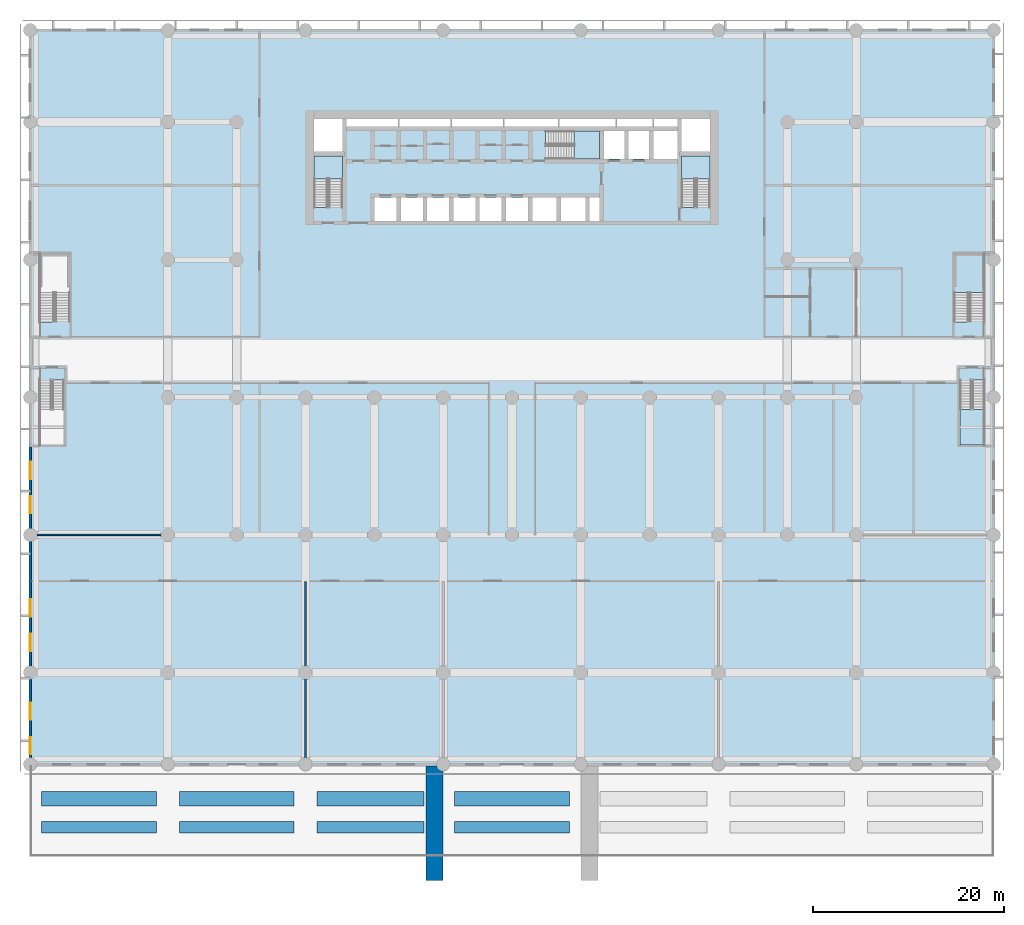
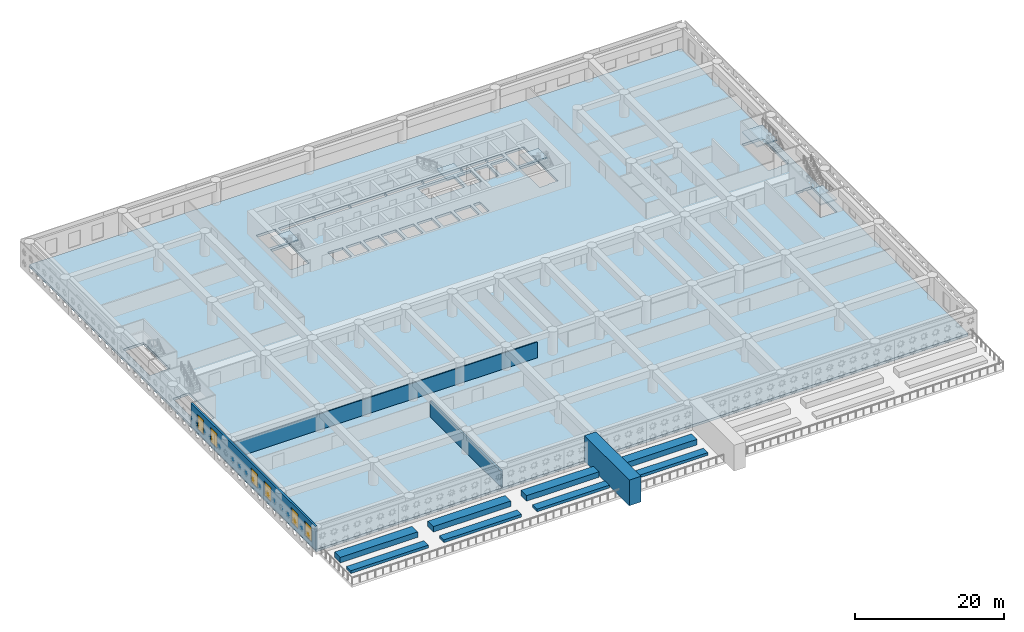
# One storey, part 2 of 24: 12 walls, 6 slabs, 6 windows, 6 openings, 5 elements without a shape of their own.
"""IFC4 building model written with IfcOpenShell, lengths in metres."""

from ifc_helpers import new_model, si_unit, direction, frame, frame_2d, origin, place, context, subcontext, project, spatial, polyline, rectangle, outline, extrude, material, layer, layer_set, type_object, element, fill, aggregate, save


model = new_model("IFC4")

# Units and contexts
model_context = context("Model", 3, precision=1e-05, world=origin(), true_north=direction((0.0, 1.0)))
body_context = subcontext(model_context, "Body", "Model", "MODEL_VIEW")
ifc_project = project(units=[si_unit("LENGTHUNIT", "METRE"), si_unit("AREAUNIT", "SQUARE_METRE"), si_unit("VOLUMEUNIT", "CUBIC_METRE"), si_unit("PLANEANGLEUNIT", "RADIAN"), si_unit("MASSUNIT", "GRAM", prefix="KILO")], contexts=[model_context])

# Site, building, storey
site_placement = place(None, origin())
site = spatial("IfcSite", under=ifc_project, at=site_placement, CompositionType="ELEMENT")
building_placement = place(site_placement, origin())
building = spatial("IfcBuilding", under=site, at=building_placement, Name="Saffron Iwan Residences", CompositionType="ELEMENT")
storey_placement = place(building_placement, frame((0.0, 0.0, 13.199951171875)))
storey = spatial("IfcBuildingStorey", under=building, at=storey_placement, Name="L02", CompositionType="ELEMENT", Elevation=13.199951171875)

# Slab
ifc_material_1 = material(Name="Concrete C40/50", Category="concrete")
ifc_layer_1 = layer(ifc_material_1, 0.39990234375)
ifc_layer_set_1 = layer_set([ifc_layer_1], Name="Concrete C40/50")
slab_type_1 = type_object("IfcSlabType", Name="PT PLATE 400 C40/50", PredefinedType="FLOOR", material=ifc_layer_set_1)
slab_1_placement = place(storey_placement, frame((0.0, 0.0, -0.400146484375)))
element("IfcSlab", 1, at=slab_1_placement, inside=storey, type_object=slab_type_1, Name="Floor slab L02", PredefinedType="FLOOR", context=body_context, shape_type="SweptSolid", body=[
    extrude(outline(polyline([(0.0, 9.60009765625), (0.0, 86.39990234375), (100.800048828125, 86.39990234375), (100.800048828125, 9.60009765625), (0.0, 9.60009765625)]), holes=[polyline([(2.199951171875, 49.699951171875), (1.0, 49.699951171875), (1.0, 43.0), (3.550048828125, 43.0), (3.550048828125, 49.799560546875), (2.199951171875, 49.799560546875), (2.199951171875, 49.699951171875)]), polyline([(2.64990234375, 55.900390625), (2.64990234375, 56.0), (4.14990234375, 56.0), (4.14990234375, 63.0), (1.0, 63.0), (1.0, 55.900390625), (2.64990234375, 55.900390625)]), polyline([(38.324951171875, 66.449951171875), (38.324951171875, 68.875), (36.02490234375, 68.875), (36.02490234375, 66.449951171875), (38.324951171875, 66.449951171875)]), polyline([(41.074951171875, 66.449951171875), (41.074951171875, 68.875), (38.77490234375, 68.875), (38.77490234375, 66.449951171875), (41.074951171875, 66.449951171875)]), polyline([(43.824951171875, 66.449951171875), (43.824951171875, 68.875), (41.52490234375, 68.875), (41.52490234375, 66.449951171875), (43.824951171875, 66.449951171875)]), polyline([(46.574951171875, 66.449951171875), (46.574951171875, 68.875), (44.27490234375, 68.875), (44.27490234375, 66.449951171875), (46.574951171875, 66.449951171875)]), polyline([(49.324951171875, 66.449951171875), (49.324951171875, 68.875), (47.02490234375, 68.875), (47.02490234375, 66.449951171875), (49.324951171875, 66.449951171875)]), polyline([(52.074951171875, 68.875), (49.77490234375, 68.875), (49.77490234375, 66.449951171875), (52.074951171875, 66.449951171875), (52.074951171875, 68.875)]), polyline([(32.64990234375, 73.25), (29.699951171875, 73.25), (29.699951171875, 67.949951171875), (29.699951171875, 67.8505859375), (31.10009765625, 67.8505859375), (31.10009765625, 67.949951171875), (32.64990234375, 67.949951171875), (32.64990234375, 73.25)]), polyline([(32.64990234375, 73.699951171875), (32.64990234375, 77.10009765625), (29.699951171875, 77.10009765625), (29.699951171875, 73.699951171875), (32.64990234375, 73.699951171875)]), polyline([(38.5, 76.324951171875), (38.5, 77.10009765625), (33.10009765625, 77.10009765625), (33.10009765625, 76.324951171875), (38.5, 76.324951171875)]), polyline([(44.0, 76.324951171875), (44.0, 77.10009765625), (38.60009765625, 77.10009765625), (38.60009765625, 76.324951171875), (44.0, 76.324951171875)]), polyline([(49.5, 76.324951171875), (49.5, 77.10009765625), (44.10009765625, 77.10009765625), (44.10009765625, 76.324951171875), (49.5, 76.324951171875)]), polyline([(55.25, 76.324951171875), (55.25, 77.10009765625), (49.60009765625, 77.10009765625), (49.60009765625, 76.324951171875), (55.25, 76.324951171875)]), polyline([(98.449951171875, 49.699951171875), (97.25, 49.699951171875), (97.25, 43.0), (99.800048828125, 43.0), (99.800048828125, 49.799560546875), (98.449951171875, 49.799560546875), (98.449951171875, 49.699951171875)]), polyline([(98.300048828125, 55.900390625), (98.300048828125, 56.0), (99.800048828125, 56.0), (99.800048828125, 63.0), (96.64990234375, 63.0), (96.64990234375, 55.900390625), (98.300048828125, 55.900390625)]), polyline([(55.074951171875, 66.449951171875), (55.074951171875, 68.875), (52.52490234375, 68.875), (52.52490234375, 66.449951171875), (55.074951171875, 66.449951171875)]), polyline([(58.074951171875, 66.449951171875), (58.074951171875, 68.875), (55.52490234375, 68.875), (55.52490234375, 66.449951171875), (58.074951171875, 66.449951171875)]), polyline([(59.550048828125, 66.449951171875), (59.550048828125, 68.875), (58.52490234375, 68.875), (58.52490234375, 66.449951171875), (59.550048828125, 66.449951171875)]), polyline([(71.10009765625, 73.25), (68.14990234375, 73.25), (68.14990234375, 67.949951171875), (68.14990234375, 67.8505859375), (69.550048828125, 67.8505859375), (69.550048828125, 67.949951171875), (71.10009765625, 67.949951171875), (71.10009765625, 73.25)]), polyline([(53.925537109375, 74.47509765625), (54.02490234375, 74.47509765625), (54.02490234375, 72.925048828125), (59.550048828125, 72.925048828125), (59.550048828125, 75.875), (54.02490234375, 75.875), (53.925537109375, 75.875), (53.925537109375, 74.47509765625)]), polyline([(62.14990234375, 75.875), (60.0, 75.875), (60.0, 72.925048828125), (62.14990234375, 72.925048828125), (62.14990234375, 75.875)]), polyline([(64.75, 72.925048828125), (64.75, 75.875), (62.60009765625, 75.875), (62.60009765625, 72.925048828125), (64.75, 72.925048828125)]), polyline([(67.699951171875, 72.925048828125), (67.699951171875, 75.875), (65.199951171875, 75.875), (65.199951171875, 72.925048828125), (67.699951171875, 72.925048828125)]), polyline([(71.10009765625, 73.699951171875), (71.10009765625, 77.10009765625), (68.14990234375, 77.10009765625), (68.14990234375, 73.699951171875), (71.10009765625, 73.699951171875)]), polyline([(61.25, 76.324951171875), (61.25, 77.10009765625), (55.35009765625, 77.10009765625), (55.35009765625, 76.324951171875), (61.25, 76.324951171875)]), polyline([(65.14990234375, 76.324951171875), (65.14990234375, 77.10009765625), (61.35009765625, 77.10009765625), (61.35009765625, 76.324951171875), (65.14990234375, 76.324951171875)]), polyline([(67.699951171875, 76.324951171875), (67.699951171875, 77.10009765625), (65.25, 77.10009765625), (65.25, 76.324951171875), (67.699951171875, 76.324951171875)])]), origin(), (0.0, 0.0, 1.0), 0.400146484375),
])

# Stair, slab
stair_type_1 = type_object("IfcStairType", Name="Podium stair, reinforced concrete", PredefinedType="HALF_TURN_STAIR", material=ifc_material_1)
stair_1_placement = place(storey_placement, origin())
stair_1 = element("IfcStair", 2, at=stair_1_placement, inside=storey, type_object=stair_type_1, Name="L02 Podium Stair 2", PredefinedType="HALF_TURN_STAIR")
ifc_layer_2 = layer(ifc_material_1, 0.199951171875)
ifc_layer_set_2 = layer_set([ifc_layer_2], Name="Concrete C40/50")
slab_type_2 = type_object("IfcSlabType", Name="Podium stair landing, reinforced concrete", PredefinedType="LANDING", material=ifc_layer_set_2)
slab_2_placement = place(storey_placement, frame((0.0, 0.0, 1.89990234375)))
slab_2 = element("IfcSlab", 3, at=slab_2_placement, type_object=slab_type_2, Name="PS2 landing 1", PredefinedType="LANDING", context=body_context, shape_type="SweptSolid", body=[
    extrude(outline(polyline([(97.25, 46.719970703125), (97.25, 43.0), (99.800048828125, 43.0), (99.800048828125, 46.719970703125), (97.25, 46.719970703125)])), origin(), (0.0, 0.0, 1.0), 0.2001953125),
])
aggregate(stair_1, [slab_2])

stair_2_placement = place(storey_placement, origin())
stair_2 = element("IfcStair", 4, at=stair_2_placement, inside=storey, type_object=stair_type_1, Name="L02 Podium Stair 4", PredefinedType="HALF_TURN_STAIR")
slab_3_placement = place(storey_placement, frame((0.0, 0.0, 1.89990234375)))
slab_3 = element("IfcSlab", 5, at=slab_3_placement, type_object=slab_type_2, Name="PS4 landing 1", PredefinedType="LANDING", context=body_context, shape_type="SweptSolid", body=[
    extrude(outline(polyline([(99.800048828125, 58.97998046875), (99.800048828125, 63.0), (96.64990234375, 63.0), (96.64990234375, 58.97998046875), (99.800048828125, 58.97998046875)])), origin(), (0.0, 0.0, 1.0), 0.2001953125),
])
aggregate(stair_2, [slab_3])

ifc_material_2 = material(Name="Concrete C50/60", Category="concrete")
stair_type_2 = type_object("IfcStairType", Name="Stair ST-CORE", PredefinedType="HALF_TURN_STAIR", material=ifc_material_2)
stair_3_placement = place(storey_placement, origin())
stair_3 = element("IfcStair", 6, at=stair_3_placement, inside=storey, type_object=stair_type_2, Name="L02 Exit Stair ST-W", PredefinedType="HALF_TURN_STAIR")
ifc_layer_3 = layer(ifc_material_2, 0.199951171875)
ifc_layer_set_3 = layer_set([ifc_layer_3], Name="Concrete C50/60")
slab_type_3 = type_object("IfcSlabType", Name="Stair landing SL-RC", PredefinedType="LANDING", material=ifc_layer_set_3)
slab_4_placement = place(storey_placement, frame((0.0, 0.0, 1.89990234375)))
slab_4 = element("IfcSlab", 7, at=slab_4_placement, type_object=slab_type_3, Name="ST-W landing 1", PredefinedType="LANDING", context=body_context, shape_type="SweptSolid", body=[
    extrude(outline(polyline([(32.64990234375, 70.820068359375), (32.64990234375, 73.25), (29.699951171875, 73.25), (29.699951171875, 70.820068359375), (32.64990234375, 70.820068359375)])), origin(), (0.0, 0.0, 1.0), 0.2001953125),
])
aggregate(stair_3, [slab_4])

stair_4_placement = place(storey_placement, origin())
stair_4 = element("IfcStair", 8, at=stair_4_placement, inside=storey, type_object=stair_type_2, Name="L02 Exit Stair ST-C", PredefinedType="HALF_TURN_STAIR")
slab_5_placement = place(storey_placement, frame((0.0, 0.0, 1.89990234375)))
slab_5 = element("IfcSlab", 9, at=slab_5_placement, type_object=slab_type_3, Name="ST-C landing 1", PredefinedType="LANDING", context=body_context, shape_type="SweptSolid", body=[
    extrude(outline(polyline([(56.89501953125, 72.925048828125), (59.550048828125, 72.925048828125), (59.550048828125, 75.875), (56.89501953125, 75.875), (56.89501953125, 72.925048828125)])), origin(), (0.0, 0.0, 1.0), 0.2001953125),
])
aggregate(stair_4, [slab_5])

stair_5_placement = place(storey_placement, origin())
stair_5 = element("IfcStair", 10, at=stair_5_placement, inside=storey, type_object=stair_type_2, Name="L02 Exit Stair ST-E", PredefinedType="HALF_TURN_STAIR")
slab_6_placement = place(storey_placement, frame((0.0, 0.0, 1.89990234375)))
slab_6 = element("IfcSlab", 11, at=slab_6_placement, type_object=slab_type_3, Name="ST-E landing 1", PredefinedType="LANDING", context=body_context, shape_type="SweptSolid", body=[
    extrude(outline(polyline([(71.10009765625, 70.820068359375), (71.10009765625, 73.25), (68.14990234375, 73.25), (68.14990234375, 70.820068359375), (71.10009765625, 70.820068359375)])), origin(), (0.0, 0.0, 1.0), 0.2001953125),
])
aggregate(stair_5, [slab_6])

# Walls
ifc_material_3 = material(Name="Concrete blockwork", Category="masonry")
ifc_layer_4 = layer(ifc_material_3, 0.14990234375)
ifc_layer_set_4 = layer_set([ifc_layer_4], Name="Concrete blockwork")
wall_type_1 = type_object("IfcWallType", Name="Blockwork partition 150", PredefinedType="PARTITIONING", material=ifc_layer_set_4)
wall_1_placement = place(storey_placement, frame((0.14990234375, 33.60009765625, 0.0), z_axis=(0.0, 0.0, 1.0), x_axis=(1.0, 0.0, 0.0)))
element("IfcWall", 12, at=wall_1_placement, inside=storey, type_object=wall_type_1, Name="W-L02-003", PredefinedType="PARTITIONING", context=body_context, shape_type="SweptSolid", body=[
    extrude(rectangle(XDim=47.85009765625, YDim=0.14990234375, at=frame_2d((23.925048828125, 0.0))), origin(), (0.0, 0.0, 1.0), 2.60009765625),
])
ifc_layer_5 = layer(ifc_material_1, 0.25)
ifc_layer_set_5 = layer_set([ifc_layer_5], Name="Concrete C40/50")
wall_type_2 = type_object("IfcWallType", Name="Fire compartment wall 250", PredefinedType="SOLIDWALL", material=ifc_layer_set_5)
wall_2_placement = place(storey_placement, frame((28.800048828125, 9.75, 0.0), z_axis=(0.0, 0.0, 1.0), x_axis=(0.0, 1.0, 0.0)))
element("IfcWall", 13, at=wall_2_placement, inside=storey, type_object=wall_type_2, Name="W-L02-031", PredefinedType="SOLIDWALL", context=body_context, shape_type="SweptSolid", body=[
    extrude(rectangle(XDim=18.97509765625, YDim=0.25, at=frame_2d((9.487548828125, 0.0))), origin(), (0.0, 0.0, 1.0), 2.60009765625),
])

# Wall, openings, windows
ifc_material_4 = material(Name="Precast concrete C40/50", Category="concrete")
ifc_layer_6 = layer(ifc_material_4, 0.300048828125)
ifc_layer_set_6 = layer_set([ifc_layer_6], Name="Precast concrete C40/50")
wall_type_3 = type_object("IfcWallType", Name="Podium external wall 300", PredefinedType="SOLIDWALL", material=ifc_layer_set_6)
wall_3_placement = place(storey_placement, frame((0.0, 9.60009765625, 0.0), z_axis=(0.0, 0.0, 1.0), x_axis=(0.0, 1.0, 0.0)))
wall_3 = element("IfcWall", 14, at=wall_3_placement, inside=storey, type_object=wall_type_3, Name="W-L02-022", PredefinedType="SOLIDWALL", context=body_context, shape_type="SweptSolid", body=[
    extrude(rectangle(XDim=33.2998046875, YDim=0.300048828125, at=frame_2d((16.64990234375, 0.0))), origin(), (0.0, 0.0, 1.0), 3.800048828125),
])
opening_1_placement = place(wall_3_placement, frame((1.050048828125, 0.0, 0.60009765625)))
opening_1 = element("IfcOpeningElement", 15, at=opening_1_placement, cuts=wall_3, Name="Opening W7", PredefinedType="OPENING", context=body_context, shape_type="SweptSolid", body=[
    extrude(rectangle(XDim=1.800048828125, YDim=2.39990234375, at=frame_2d((0.89990234375, 1.199951171875))), frame((0.0, 0.16015625, 0.0), z_axis=(0.0, -1.0, 0.0), x_axis=(1.0, 0.0, 0.0)), (0.0, 0.0, 1.0), 0.320068359375),
])
opening_2_placement = place(wall_3_placement, frame((4.64990234375, 0.0, 0.60009765625)))
opening_2 = element("IfcOpeningElement", 16, at=opening_2_placement, cuts=wall_3, Name="Opening W7", PredefinedType="OPENING", context=body_context, shape_type="SweptSolid", body=[
    extrude(rectangle(XDim=1.800048828125, YDim=2.39990234375, at=frame_2d((0.89990234375, 1.199951171875))), frame((0.0, 0.16015625, 0.0), z_axis=(0.0, -1.0, 0.0), x_axis=(1.0, 0.0, 0.0)), (0.0, 0.0, 1.0), 0.320068359375),
])
opening_3_placement = place(wall_3_placement, frame((11.85009765625, 0.0, 0.60009765625)))
opening_3 = element("IfcOpeningElement", 17, at=opening_3_placement, cuts=wall_3, Name="Opening W7", PredefinedType="OPENING", context=body_context, shape_type="SweptSolid", body=[
    extrude(rectangle(XDim=1.800048828125, YDim=2.39990234375, at=frame_2d((0.89990234375, 1.199951171875))), frame((0.0, 0.16015625, 0.0), z_axis=(0.0, -1.0, 0.0), x_axis=(1.0, 0.0, 0.0)), (0.0, 0.0, 1.0), 0.320068359375),
])
opening_4_placement = place(wall_3_placement, frame((15.449951171875, 0.0, 0.60009765625)))
opening_4 = element("IfcOpeningElement", 18, at=opening_4_placement, cuts=wall_3, Name="Opening W7", PredefinedType="OPENING", context=body_context, shape_type="SweptSolid", body=[
    extrude(rectangle(XDim=1.800048828125, YDim=2.39990234375, at=frame_2d((0.89990234375, 1.199951171875))), frame((0.0, 0.16015625, 0.0), z_axis=(0.0, -1.0, 0.0), x_axis=(1.0, 0.0, 0.0)), (0.0, 0.0, 1.0), 0.320068359375),
])
opening_5_placement = place(wall_3_placement, frame((26.25, 0.0, 0.60009765625)))
opening_5 = element("IfcOpeningElement", 19, at=opening_5_placement, cuts=wall_3, Name="Opening W7", PredefinedType="OPENING", context=body_context, shape_type="SweptSolid", body=[
    extrude(rectangle(XDim=1.800048828125, YDim=2.39990234375, at=frame_2d((0.89990234375, 1.199951171875))), frame((0.0, 0.16015625, 0.0), z_axis=(0.0, -1.0, 0.0), x_axis=(1.0, 0.0, 0.0)), (0.0, 0.0, 1.0), 0.320068359375),
])
opening_6_placement = place(wall_3_placement, frame((29.85009765625, 0.0, 0.60009765625)))
opening_6 = element("IfcOpeningElement", 20, at=opening_6_placement, cuts=wall_3, Name="Opening W7", PredefinedType="OPENING", context=body_context, shape_type="SweptSolid", body=[
    extrude(rectangle(XDim=1.800048828125, YDim=2.39990234375, at=frame_2d((0.89990234375, 1.199951171875))), frame((0.0, 0.16015625, 0.0), z_axis=(0.0, -1.0, 0.0), x_axis=(1.0, 0.0, 0.0)), (0.0, 0.0, 1.0), 0.320068359375),
])
ifc_material_5 = material(Name="Clear glass, laminated double glazed", Category="glass")
window_type = type_object("IfcWindowType", Name="WINDOW 1800 x 2400 PODIUM", PartitioningType="DOUBLE_PANEL_VERTICAL", PredefinedType="WINDOW", material=ifc_material_5)
window_1_placement = place(opening_1_placement, origin())
window_1 = element("IfcWindow", 21, at=window_1_placement, inside=storey, type_object=window_type, Name="Window L02 W-L02-022.0", OverallHeight=2.39990234375, OverallWidth=1.800048828125, PartitioningType="DOUBLE_PANEL_VERTICAL", PredefinedType="WINDOW", context=body_context, shape_type="SweptSolid", body=[
    extrude(rectangle(XDim=1.800048828125, YDim=2.39990234375, at=frame_2d((0.89990234375, 1.199951171875))), frame((0.0, 0.030029296875, 0.0), z_axis=(0.0, -1.0, 0.0), x_axis=(1.0, 0.0, 0.0)), (0.0, 0.0, 1.0), 0.06005859375),
])
fill(opening_1, window_1)
window_2_placement = place(opening_2_placement, origin())
window_2 = element("IfcWindow", 22, at=window_2_placement, inside=storey, type_object=window_type, Name="Window L02 W-L02-022.1", OverallHeight=2.39990234375, OverallWidth=1.800048828125, PartitioningType="DOUBLE_PANEL_VERTICAL", PredefinedType="WINDOW", context=body_context, shape_type="SweptSolid", body=[
    extrude(rectangle(XDim=1.800048828125, YDim=2.39990234375, at=frame_2d((0.89990234375, 1.199951171875))), frame((0.0, 0.030029296875, 0.0), z_axis=(0.0, -1.0, 0.0), x_axis=(1.0, 0.0, 0.0)), (0.0, 0.0, 1.0), 0.06005859375),
])
fill(opening_2, window_2)
window_3_placement = place(opening_3_placement, origin())
window_3 = element("IfcWindow", 23, at=window_3_placement, inside=storey, type_object=window_type, Name="Window L02 W-L02-022.2", OverallHeight=2.39990234375, OverallWidth=1.800048828125, PartitioningType="DOUBLE_PANEL_VERTICAL", PredefinedType="WINDOW", context=body_context, shape_type="SweptSolid", body=[
    extrude(rectangle(XDim=1.800048828125, YDim=2.39990234375, at=frame_2d((0.89990234375, 1.199951171875))), frame((0.0, 0.030029296875, 0.0), z_axis=(0.0, -1.0, 0.0), x_axis=(1.0, 0.0, 0.0)), (0.0, 0.0, 1.0), 0.06005859375),
])
fill(opening_3, window_3)
window_4_placement = place(opening_4_placement, origin())
window_4 = element("IfcWindow", 24, at=window_4_placement, inside=storey, type_object=window_type, Name="Window L02 W-L02-022.3", OverallHeight=2.39990234375, OverallWidth=1.800048828125, PartitioningType="DOUBLE_PANEL_VERTICAL", PredefinedType="WINDOW", context=body_context, shape_type="SweptSolid", body=[
    extrude(rectangle(XDim=1.800048828125, YDim=2.39990234375, at=frame_2d((0.89990234375, 1.199951171875))), frame((0.0, 0.030029296875, 0.0), z_axis=(0.0, -1.0, 0.0), x_axis=(1.0, 0.0, 0.0)), (0.0, 0.0, 1.0), 0.06005859375),
])
fill(opening_4, window_4)
window_5_placement = place(opening_5_placement, origin())
window_5 = element("IfcWindow", 25, at=window_5_placement, inside=storey, type_object=window_type, Name="Window L02 W-L02-022.4", OverallHeight=2.39990234375, OverallWidth=1.800048828125, PartitioningType="DOUBLE_PANEL_VERTICAL", PredefinedType="WINDOW", context=body_context, shape_type="SweptSolid", body=[
    extrude(rectangle(XDim=1.800048828125, YDim=2.39990234375, at=frame_2d((0.89990234375, 1.199951171875))), frame((0.0, 0.030029296875, 0.0), z_axis=(0.0, -1.0, 0.0), x_axis=(1.0, 0.0, 0.0)), (0.0, 0.0, 1.0), 0.06005859375),
])
fill(opening_5, window_5)
window_6_placement = place(opening_6_placement, origin())
window_6 = element("IfcWindow", 26, at=window_6_placement, inside=storey, type_object=window_type, Name="Window L02 W-L02-022.5", OverallHeight=2.39990234375, OverallWidth=1.800048828125, PartitioningType="DOUBLE_PANEL_VERTICAL", PredefinedType="WINDOW", context=body_context, shape_type="SweptSolid", body=[
    extrude(rectangle(XDim=1.800048828125, YDim=2.39990234375, at=frame_2d((0.89990234375, 1.199951171875))), frame((0.0, 0.030029296875, 0.0), z_axis=(0.0, -1.0, 0.0), x_axis=(1.0, 0.0, 0.0)), (0.0, 0.0, 1.0), 0.06005859375),
])
fill(opening_6, window_6)

# Walls
ifc_material_6 = material(Name="Terracotta coloured precast concrete C40/50", Category="masonry")
ifc_layer_7 = layer(ifc_material_6, 1.800048828125)
ifc_layer_set_7 = layer_set([ifc_layer_7], Name="Terracotta coloured precast concrete C40/50")
wall_type_4 = type_object("IfcWallType", Name="Portal pier, precast concrete 1800", PredefinedType="SOLIDWALL", material=ifc_layer_set_7)
wall_4_placement = place(storey_placement, frame((42.300048828125, -2.550048828125, 0.0), z_axis=(0.0, 0.0, 1.0), x_axis=(0.0, 1.0, 0.0)))
element("IfcWall", 27, at=wall_4_placement, inside=storey, type_object=wall_type_4, Name="Portal pier W L02", PredefinedType="SOLIDWALL", context=body_context, shape_type="SweptSolid", body=[
    extrude(rectangle(XDim=12.0, YDim=1.800048828125, at=frame_2d((6.0, 0.0))), origin(), (0.0, 0.0, 1.0), 4.199951171875),
])
ifc_layer_8 = layer(ifc_material_1, 1.199951171875)
ifc_layer_set_8 = layer_set([ifc_layer_8], Name="Concrete C40/50")
wall_type_5 = type_object("IfcWallType", Name="Terrace planter wall 1200", PredefinedType="SOLIDWALL", material=ifc_layer_set_8)
for number, where, z_axis, x_axis, name in (
    (28, (1.199951171875, 3.0, 0.0), (0.0, 0.0, 1.0), (1.0, 0.0, 0.0), "PLANTER terrace L02 1"),
    (29, (15.60009765625, 3.0, 0.0), (0.0, 0.0, 1.0), (1.0, 0.0, 0.0), "PLANTER terrace L02 3"),
):
    element("IfcWall", number, at=place(storey_placement, frame(where, z_axis=z_axis, x_axis=x_axis)), inside=storey, type_object=wall_type_5, Name=name, PredefinedType="SOLIDWALL", context=body_context, shape_type="SweptSolid", body=[
        extrude(rectangle(XDim=12.0, YDim=1.199951171875, at=frame_2d((6.0, 0.0))), origin(), (0.0, 0.0, 1.0), 0.449951171875),
    ])
wall_5_placement = place(storey_placement, frame((30.0, 3.0, 0.0), z_axis=(0.0, 0.0, 1.0), x_axis=(1.0, 0.0, 0.0)))
element("IfcWall", 30, at=wall_5_placement, inside=storey, type_object=wall_type_5, Name="PLANTER terrace L02 5", PredefinedType="SOLIDWALL", context=body_context, shape_type="SweptSolid", body=[
    extrude(rectangle(XDim=11.199951171875, YDim=1.199951171875, at=frame_2d((5.60009765625, 0.0))), origin(), (0.0, 0.0, 1.0), 0.449951171875),
])
wall_6_placement = place(storey_placement, frame((44.39990234375, 3.0, 0.0), z_axis=(0.0, 0.0, 1.0), x_axis=(1.0, 0.0, 0.0)))
element("IfcWall", 31, at=wall_6_placement, inside=storey, type_object=wall_type_5, Name="PLANTER terrace L02 7", PredefinedType="SOLIDWALL", context=body_context, shape_type="SweptSolid", body=[
    extrude(rectangle(XDim=12.0, YDim=1.199951171875, at=frame_2d((6.0, 0.0))), origin(), (0.0, 0.0, 1.0), 0.449951171875),
])
ifc_layer_9 = layer(ifc_material_1, 1.5)
ifc_layer_set_9 = layer_set([ifc_layer_9], Name="Concrete C40/50")
wall_type_6 = type_object("IfcWallType", Name="Terrace planter wall 1500", PredefinedType="SOLIDWALL", material=ifc_layer_set_9)
for number, where, z_axis, x_axis, name in (
    (32, (1.199951171875, 6.0, 0.0), (0.0, 0.0, 1.0), (1.0, 0.0, 0.0), "PLANTER terrace L02 2"),
    (33, (15.60009765625, 6.0, 0.0), (0.0, 0.0, 1.0), (1.0, 0.0, 0.0), "PLANTER terrace L02 4"),
):
    element("IfcWall", number, at=place(storey_placement, frame(where, z_axis=z_axis, x_axis=x_axis)), inside=storey, type_object=wall_type_6, Name=name, PredefinedType="SOLIDWALL", context=body_context, shape_type="SweptSolid", body=[
        extrude(rectangle(XDim=12.0, YDim=1.5, at=frame_2d((6.0, 0.0))), origin(), (0.0, 0.0, 1.0), 0.900146484375),
    ])
wall_7_placement = place(storey_placement, frame((30.0, 6.0, 0.0), z_axis=(0.0, 0.0, 1.0), x_axis=(1.0, 0.0, 0.0)))
element("IfcWall", 34, at=wall_7_placement, inside=storey, type_object=wall_type_6, Name="PLANTER terrace L02 6", PredefinedType="SOLIDWALL", context=body_context, shape_type="SweptSolid", body=[
    extrude(rectangle(XDim=11.199951171875, YDim=1.5, at=frame_2d((5.60009765625, 0.0))), origin(), (0.0, 0.0, 1.0), 0.900146484375),
])
wall_8_placement = place(storey_placement, frame((44.39990234375, 6.0, 0.0), z_axis=(0.0, 0.0, 1.0), x_axis=(1.0, 0.0, 0.0)))
element("IfcWall", 35, at=wall_8_placement, inside=storey, type_object=wall_type_6, Name="PLANTER terrace L02 8", PredefinedType="SOLIDWALL", context=body_context, shape_type="SweptSolid", body=[
    extrude(rectangle(XDim=12.0, YDim=1.5, at=frame_2d((6.0, 0.0))), origin(), (0.0, 0.0, 1.0), 0.900146484375),
])

save(model, "model.ifc")
